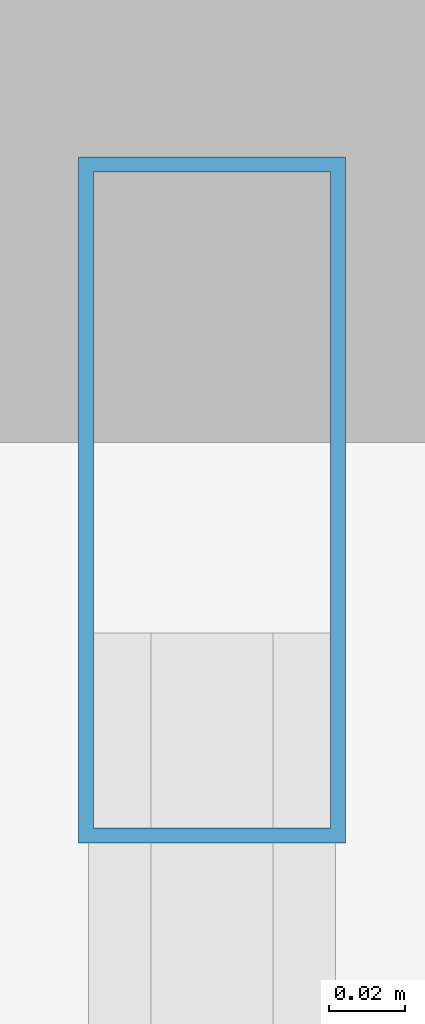
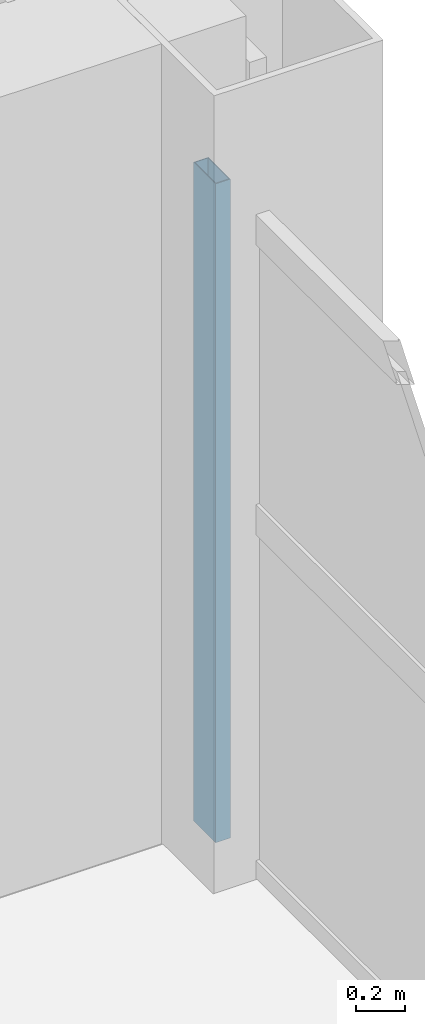
# One storey, part 6 of 13: 1 member, 1 element without a shape of its own.
"""IFC4 building model written with IfcOpenShell, lengths in metres."""

import ifcopenshell
import ifcopenshell.guid

model = None  # the IFC model being written
_history = None  # IfcOwnerHistory: only IFC2X3 demands one
_inside = {}  # id of a spatial element -> (the spatial element, [elements in it])
_under = {}  # id of a project, library or spatial element -> (it, [spatial elements below it])
_declared = {}  # id of a project -> (the project, [libraries it declares])
_typed = {}  # id of a type object -> (the type object, [elements of that type])
_made_of = {}  # id of a material, layer set ... -> (it, [elements and type objects made of it])


def new_model(schema):
    """Start an empty IFC model of exactly this schema.

    Asked for "IFC4X3", IfcOpenShell would pick the latest addendum, in which some entities
    have other attributes; the version numbers below select the first issue.
    IFC2X3 requires an IfcOwnerHistory on every rooted entity: one is made here for all.
    """
    global model, _history
    if schema == "IFC4X3":
        model = ifcopenshell.file(schema_version=(4, 3, 0, 0))
    else:
        model = ifcopenshell.file(schema=schema)
    _inside.clear()
    _under.clear()
    _declared.clear()
    _typed.clear()
    _made_of.clear()
    _history = None
    if model.schema == "IFC2X3":
        org = make("IfcOrganization", Name="unknown")
        user = make(
            "IfcPersonAndOrganization",
            ThePerson=make("IfcPerson", FamilyName="unknown"),
            TheOrganization=org,
        )
        app = make(
            "IfcApplication",
            ApplicationDeveloper=org,
            Version="unknown",
            ApplicationFullName="unknown",
            ApplicationIdentifier="unknown",
        )
        _history = make(
            "IfcOwnerHistory",
            OwningUser=user,
            OwningApplication=app,
            ChangeAction="ADDED",
            CreationDate=0,
        )
    return model


def make(cls, **values):
    """One entity of the class cls with the attributes given. An attribute that is None is left unset."""
    return model.create_entity(
        cls, **{name: value for name, value in values.items() if value is not None}
    )


def rooted(cls, **values):
    """An entity with a GlobalId (a new one), such as an element, a storey or a relation."""
    return make(cls, GlobalId=ifcopenshell.guid.new(), OwnerHistory=_history, **values)


def si_unit(unit_type, name, prefix=None):
    """IfcSIUnit, for example si_unit("LENGTHUNIT", "METRE", prefix="MILLI")."""
    return make("IfcSIUnit", UnitType=unit_type, Prefix=prefix, Name=name)


def assignment(units):
    """IfcUnitAssignment: the units of a project."""
    return None if units is None else make("IfcUnitAssignment", Units=units)


def point(xyz):
    """IfcCartesianPoint."""
    return None if xyz is None else make("IfcCartesianPoint", Coordinates=xyz)


def direction(xyz):
    """IfcDirection."""
    return None if xyz is None else make("IfcDirection", DirectionRatios=xyz)


def frame(location, z_axis=None, x_axis=None):
    """IfcAxis2Placement3D, a coordinate frame: its origin and axes. An axis left out is left unset."""
    return make(
        "IfcAxis2Placement3D",
        Location=point(location),
        Axis=direction(z_axis),
        RefDirection=direction(x_axis),
    )


def frame_2d(location, x_axis=None):
    """IfcAxis2Placement2D, a coordinate frame in the plane: its origin and x axis."""
    return make(
        "IfcAxis2Placement2D", Location=point(location), RefDirection=direction(x_axis)
    )


def origin():
    """The frame at (0, 0, 0) with its axes left unset."""
    return frame((0.0, 0.0, 0.0))


def origin_2d():
    """The frame at (0, 0) in the plane with its x axis left unset."""
    return frame_2d((0.0, 0.0))


def place(relative_to, where):
    """IfcLocalPlacement: puts the frame where relative to a parent placement (None: the world)."""
    return make(
        "IfcLocalPlacement", PlacementRelTo=relative_to, RelativePlacement=where
    )


def context(
    kind, dimensions, precision=None, world=None, true_north=None, identifier=None
):
    """IfcGeometricRepresentationContext, for example the 3D "Model" context."""
    return make(
        "IfcGeometricRepresentationContext",
        ContextIdentifier=identifier,
        ContextType=kind,
        CoordinateSpaceDimension=dimensions,
        Precision=precision,
        WorldCoordinateSystem=world,
        TrueNorth=true_north,
    )


def subcontext(parent, identifier, kind, view, scale=None):
    """IfcGeometricRepresentationSubContext, for example "Body" below "Model"."""
    return make(
        "IfcGeometricRepresentationSubContext",
        ContextIdentifier=identifier,
        ContextType=kind,
        ParentContext=parent,
        TargetScale=scale,
        TargetView=view,
    )


def project(units=None, contexts=None):
    """IfcProject with its units and contexts."""
    return rooted(
        "IfcProject",
        Name="project",
        RepresentationContexts=contexts,
        UnitsInContext=assignment(units),
    )


def spatial(cls, under=None, at=None, **own):
    """A site, building, storey or space (cls), placed at a placement, below another one or the project."""
    s = rooted(cls, ObjectPlacement=at, **own)
    if under is not None:
        _under.setdefault(under.id(), (under, []))[1].append(s)
    return s


def profile(cls, at=None, kind="AREA", **sizes):
    """A parametric profile (cls). Its sizes go by their IFC names, for example OverallWidth=200.0."""
    return make(cls, ProfileType=kind, Position=at, **sizes)


def hollow_rectangle(**sizes):
    """IfcRectangleHollowProfileDef."""
    return profile("IfcRectangleHollowProfileDef", **sizes)


def extrude(swept, where, along, depth):
    """IfcExtrudedAreaSolid: the profile swept, set in the frame where, extruded along a direction by depth."""
    return make(
        "IfcExtrudedAreaSolid",
        SweptArea=swept,
        Position=where,
        ExtrudedDirection=direction(along),
        Depth=depth,
    )


def shape(context_of_items, identifier, shape_type, items):
    """IfcShapeRepresentation: the items that make up one representation, for example the "Body"."""
    return make(
        "IfcShapeRepresentation",
        ContextOfItems=context_of_items,
        RepresentationIdentifier=identifier,
        RepresentationType=shape_type,
        Items=items,
    )


def material(Name=None, Category=None):
    """IfcMaterial."""
    return make("IfcMaterial", Name=Name, Category=Category)


def layer(
    of_material, thickness, ventilated=None, Name=None, Category=None, Priority=None
):
    """IfcMaterialLayer: one layer of a wall or slab, of a material (None: an air gap)."""
    return make(
        "IfcMaterialLayer",
        Material=of_material,
        LayerThickness=thickness,
        IsVentilated=ventilated,
        Name=Name,
        Category=Category,
        Priority=Priority,
    )


def layer_set(layers, Name=None):
    """IfcMaterialLayerSet."""
    return make("IfcMaterialLayerSet", MaterialLayers=layers, LayerSetName=Name)


def material_profile(
    of_material, cross_section, Name=None, Category=None, Priority=None
):
    """IfcMaterialProfile: a cross section and its material."""
    return make(
        "IfcMaterialProfile",
        Name=Name,
        Material=of_material,
        Profile=cross_section,
        Priority=Priority,
        Category=Category,
    )


def profile_set(profiles, Name=None, composite=None):
    """IfcMaterialProfileSet."""
    return make(
        "IfcMaterialProfileSet",
        Name=Name,
        MaterialProfiles=profiles,
        CompositeProfile=composite,
    )


def made_of(thing, what):
    """Note that an element or type object is made of a material, layer set ...; save() writes the relation."""
    if what is not None:
        _made_of.setdefault(what.id(), (what, []))[1].append(thing)
    return thing


def type_object(cls, material=None, **own):
    """A type object (cls), such as IfcWallType, which elements share."""
    return made_of(rooted(cls, **own), material)


def element(
    cls,
    number,
    at=None,
    inside=None,
    cuts=None,
    type_object=None,
    material=None,
    context=None,
    identifier="Body",
    shape_type=None,
    held_by="IfcProductDefinitionShape",
    body=None,
    shapes=None,
    **own,
):
    """One element of the class cls, such as IfcWall. Its Tag is "e" and its number.

    at: its placement. inside: the storey or other place that contains it. cuts: it is an
    opening in that element (IfcRelVoidsElement). A single representation is given by context,
    identifier, shape_type and body (its items); several are given by shapes. held_by: the class
    of the entity that holds the representations. save() writes the other relations.
    """
    e = rooted(cls, Tag="e%d" % number, ObjectPlacement=at, **own)
    if body is not None:
        shapes = [shape(context, identifier, shape_type, body)]
    if shapes is not None:
        e.Representation = make(held_by, Representations=shapes)
    if inside is not None:
        _inside.setdefault(inside.id(), (inside, []))[1].append(e)
    if cuts is not None:
        rooted(
            "IfcRelVoidsElement", RelatingBuildingElement=cuts, RelatedOpeningElement=e
        )
    if type_object is not None:
        _typed.setdefault(type_object.id(), (type_object, []))[1].append(e)
    return made_of(e, material)


def aggregate(whole, parts):
    """IfcRelAggregates: a whole, such as a stair, and the parts it consists of."""
    return rooted("IfcRelAggregates", RelatingObject=whole, RelatedObjects=parts)


def save(model, path):
    """Write the relations noted so far, then the file.

    IfcRelAggregates (storeys below a building ...), IfcRelContainedInSpatialStructure (elements
    in a storey), IfcRelDefinesByType, IfcRelAssociatesMaterial and IfcRelDeclares: one each for
    every whole, place, type object, material and project.
    """
    for whole, parts in _under.values():
        aggregate(whole, parts)
    for where, things in _inside.values():
        rooted(
            "IfcRelContainedInSpatialStructure",
            RelatedElements=things,
            RelatingStructure=where,
        )
    for kind, things in _typed.values():
        rooted("IfcRelDefinesByType", RelatedObjects=things, RelatingType=kind)
    for what, things in _made_of.values():
        rooted("IfcRelAssociatesMaterial", RelatedObjects=things, RelatingMaterial=what)
    for by, libraries in _declared.values():
        rooted("IfcRelDeclares", RelatingContext=by, RelatedDefinitions=libraries)
    model.write(path)


model = new_model("IFC4")

# Units and contexts
model_context = context("Model", 3, precision=1e-05, world=origin(), true_north=direction((0.0, 1.0)))
body_context = subcontext(model_context, "Body", "Model", "MODEL_VIEW")
ifc_project = project(units=[si_unit("LENGTHUNIT", "METRE"), si_unit("AREAUNIT", "SQUARE_METRE"), si_unit("VOLUMEUNIT", "CUBIC_METRE"), si_unit("PLANEANGLEUNIT", "RADIAN"), si_unit("MASSUNIT", "GRAM", prefix="KILO")], contexts=[model_context])

# Site, building, storey
site_placement = place(None, origin())
site = spatial("IfcSite", under=ifc_project, at=site_placement, CompositionType="ELEMENT")
building_placement = place(site_placement, origin())
building = spatial("IfcBuilding", under=site, at=building_placement, Name="Qianrong Seaharbour Tower", CompositionType="ELEMENT")
storey_placement = place(building_placement, frame((0.0, 0.0, 295.199951171875)))
storey = spatial("IfcBuildingStorey", under=building, at=storey_placement, Name="L71", CompositionType="ELEMENT", Elevation=295.199951171875)

# Curtain wall, member
ifc_material_1 = material(Name="Anodised aluminium 6063-T6 and laminated low-e glass", Category="aluminium")
ifc_layer = layer(ifc_material_1, 0.195068359375)
ifc_layer_set = layer_set([ifc_layer], Name="Anodised aluminium 6063-T6 and laminated low-e glass")
curtain_wall_type = type_object("IfcCurtainWallType", Name="CW-SYS-3", PredefinedType="NOTDEFINED", material=ifc_layer_set)
curtain_wall_placement = place(storey_placement, origin())
curtain_wall = element("IfcCurtainWall", 1, at=curtain_wall_placement, inside=storey, type_object=curtain_wall_type, Name="L71 Sky-Garden Wintergarden Curtain Wall EAST_WING", PredefinedType="NOTDEFINED")
ifc_material_2 = material(Name="Extruded aluminium 6063-T6", Category="aluminium")
ifc_material_profile = material_profile(ifc_material_2, hollow_rectangle(XDim=0.070068359375, YDim=0.179931640625, WallThickness=0.00390625, at=origin_2d()), Name="ALU-MUL-180x70x4")
ifc_profile_set = profile_set([ifc_material_profile], Name="Extruded aluminium 6063-T6")
member_type = type_object("IfcMemberType", Name="CW-MUL-180", PredefinedType="MULLION", material=ifc_profile_set)
member_placement = place(storey_placement, frame((63.830078125, 36.014892578125, 0.0), z_axis=(0.0, 0.0, 1.0), x_axis=(1.0, 0.0, 0.0)))
member = element("IfcMember", 2, at=member_placement, type_object=member_type, Name="CW-3 mullion 1", PredefinedType="MULLION", context=body_context, shape_type="SweptSolid", body=[
    extrude(hollow_rectangle(XDim=0.070068359375, YDim=0.179931640625, WallThickness=0.00390625, at=origin_2d()), origin(), (0.0, 0.0, 1.0), 3.295166015625),
])
aggregate(curtain_wall, [member])

save(model, "model.ifc")
